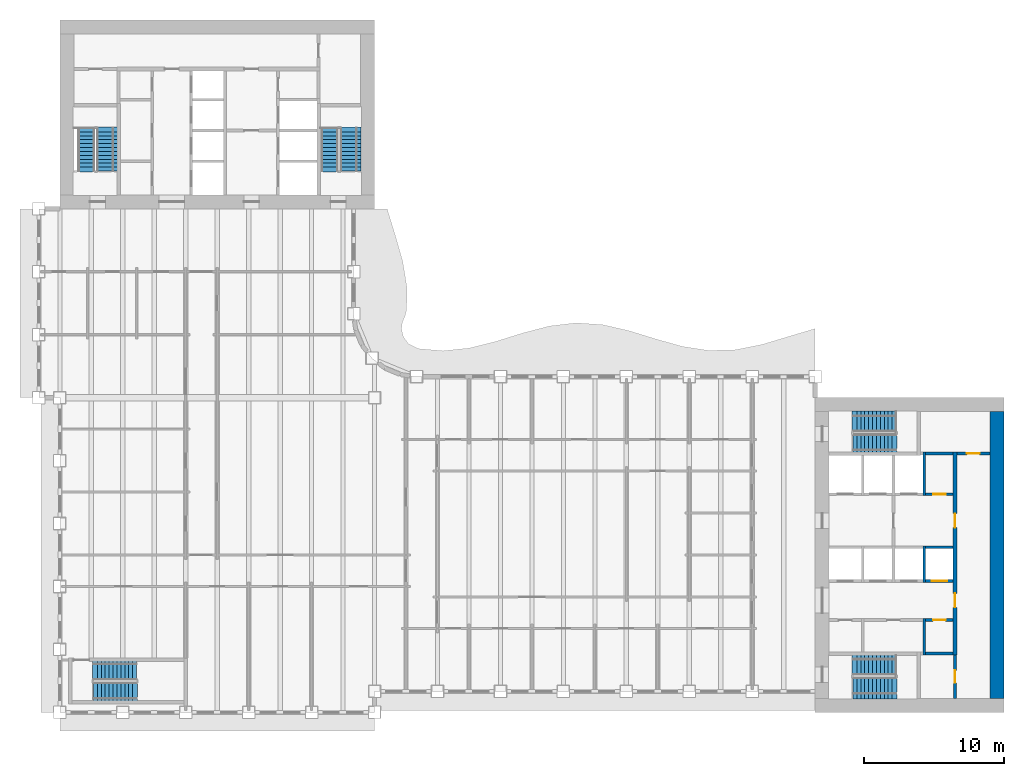
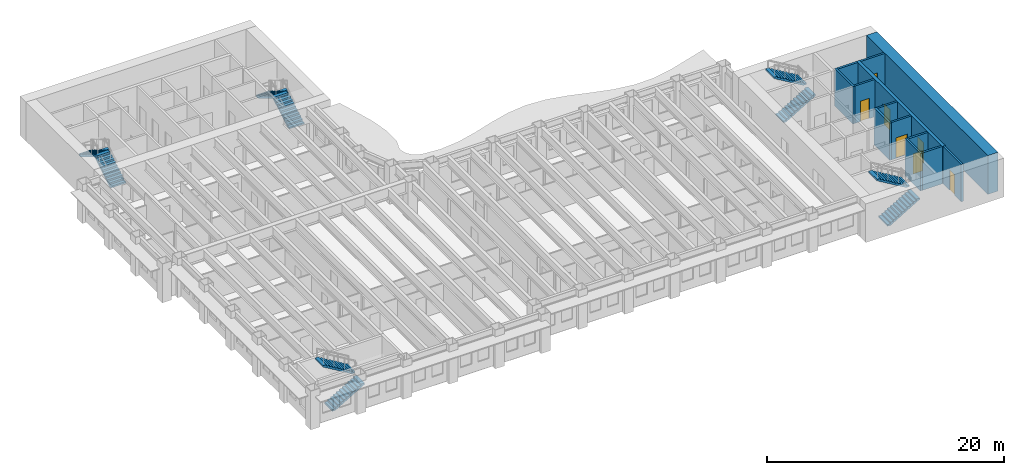
# One storey, part 10 of 16: 13 walls, 10 stair flights, 7 doors, 7 openings, 5 elements without a shape of their own.
"""IFC4 building model written with IfcOpenShell, lengths in metres."""

from ifc_helpers import new_model, si_unit, direction, frame, frame_2d, origin, place, context, subcontext, project, spatial, polyline, rectangle, outline, extrude, material, layer, layer_set, type_object, element, fill, aggregate, save


model = new_model("IFC4")

# Units and contexts
model_context = context("Model", 3, precision=1e-05, world=origin(), true_north=direction((0.0, 1.0)))
body_context = subcontext(model_context, "Body", "Model", "MODEL_VIEW")
ifc_project = project(units=[si_unit("LENGTHUNIT", "METRE"), si_unit("AREAUNIT", "SQUARE_METRE"), si_unit("VOLUMEUNIT", "CUBIC_METRE"), si_unit("PLANEANGLEUNIT", "RADIAN"), si_unit("MASSUNIT", "GRAM", prefix="KILO")], contexts=[model_context])

# Site, building, storey
site_placement = place(None, origin())
site = spatial("IfcSite", under=ifc_project, at=site_placement, CompositionType="ELEMENT")
building_placement = place(site_placement, origin())
building = spatial("IfcBuilding", under=site, at=building_placement, Name="Sennacour Bend Tower", CompositionType="ELEMENT")
storey_placement = place(building_placement, frame((0.0, 0.0, 163.0)))
storey = spatial("IfcBuildingStorey", under=building, at=storey_placement, Name="L37", CompositionType="ELEMENT", Elevation=163.0)

# Walls
ifc_material_1 = material(Name="Concrete C60/75", Category="concrete")
ifc_layer_1 = layer(ifc_material_1, 1.0, Name="Concrete C60/75", Category="concrete")
ifc_layer_set_1 = layer_set([ifc_layer_1], Name="Concrete C60/75")
wall_type_1 = type_object("IfcWallType", Name="Core wall 1000 C60/75", PredefinedType="SHEAR", material=ifc_layer_set_1)
wall_1_placement = place(storey_placement, frame((67.0, 1.0, -0.14990234375), z_axis=(0.0, 0.0, 1.0), x_axis=(0.0, 1.0, 0.0)))
element("IfcWall", 1, at=wall_1_placement, inside=storey, type_object=wall_type_1, Name="Core A wall L37 E", PredefinedType="SHEAR", context=body_context, shape_type="SweptSolid", body=[
    extrude(rectangle(XDim=20.5, YDim=1.0, at=frame_2d((10.25, 0.0))), origin(), (0.0, 0.0, 1.0), 4.0),
])
ifc_material_2 = material(Name="Fire-rated plasterboard partition on steel studs", Category="steel")
ifc_layer_2 = layer(ifc_material_2, 0.199951171875, Name="Fire-rated plasterboard partition on steel studs", Category="steel")
ifc_layer_set_2 = layer_set([ifc_layer_2], Name="Fire-rated plasterboard partition on steel studs")
wall_type_2 = type_object("IfcWallType", Name="Rated partition 200", PredefinedType="PARTITIONING", material=ifc_layer_set_2)
wall_2_placement = place(storey_placement, frame((61.800048828125, 4.10009765625, 0.0), z_axis=(0.0, 0.0, 1.0), x_axis=(0.0, 1.0, 0.0)))
element("IfcWall", 2, at=wall_2_placement, inside=storey, type_object=wall_type_2, Name="P-L37-W046", PredefinedType="PARTITIONING", context=body_context, shape_type="SweptSolid", body=[
    extrude(rectangle(XDim=2.599853515625, YDim=0.199951171875, at=frame_2d((1.2998046875, 0.0))), origin(), (0.0, 0.0, 1.0), 3.85009765625),
])

# Wall, opening, door
wall_3_placement = place(storey_placement, frame((64.0, 1.0, 0.0), z_axis=(0.0, 0.0, 1.0), x_axis=(0.0, 1.0, 0.0)))
wall_3 = element("IfcWall", 3, at=wall_3_placement, inside=storey, type_object=wall_type_2, Name="P-L37-W049", PredefinedType="PARTITIONING", context=body_context, shape_type="SweptSolid", body=[
    extrude(rectangle(XDim=3.10009765625, YDim=0.199951171875, at=frame_2d((1.550048828125, 0.0))), origin(), (0.0, 0.0, 1.0), 3.85009765625),
])
opening_1_placement = place(wall_3_placement, frame((1.10009765625, 0.0, 0.0)))
opening_1 = element("IfcOpeningElement", 4, at=opening_1_placement, cuts=wall_3, Name="Opening SV", PredefinedType="OPENING", context=body_context, shape_type="SweptSolid", body=[
    extrude(rectangle(XDim=0.89990234375, YDim=2.10009765625, at=frame_2d((0.449951171875, 1.050048828125))), frame((0.0, 0.10986328125, 0.0), z_axis=(0.0, -1.0, 0.0), x_axis=(1.0, 0.0, 0.0)), (0.0, 0.0, 1.0), 0.219970703125),
])
ifc_material_3 = material(Name="Painted steel", Category="steel")
door_type_1 = type_object("IfcDoorType", Name="DR-SERVICE-900", OperationType="NOTDEFINED", PredefinedType="DOOR", material=ifc_material_3)
door_1_placement = place(opening_1_placement, origin())
door_1 = element("IfcDoor", 5, at=door_1_placement, inside=storey, type_object=door_type_1, Name="Door", OperationType="SINGLE_SWING_LEFT", OverallHeight=2.10009765625, OverallWidth=0.89990234375, PredefinedType="DOOR", context=body_context, shape_type="SweptSolid", body=[
    extrude(rectangle(XDim=0.89990234375, YDim=2.10009765625, at=frame_2d((0.449951171875, 1.050048828125))), frame((0.0, 0.02490234375, 0.0), z_axis=(0.0, -1.0, 0.0), x_axis=(1.0, 0.0, 0.0)), (0.0, 0.0, 1.0), 0.050048828125),
])
fill(opening_1, door_1)

# Wall
wall_4_placement = place(storey_placement, frame((61.89990234375, 4.199951171875, 0.0), z_axis=(0.0, 0.0, 1.0), x_axis=(1.0, 0.0, 0.0)))
element("IfcWall", 6, at=wall_4_placement, inside=storey, type_object=wall_type_2, Name="P-L37-W057b", PredefinedType="PARTITIONING", context=body_context, shape_type="SweptSolid", body=[
    extrude(rectangle(XDim=1.9501953125, YDim=0.199951171875, at=frame_2d((0.97509765625, 0.0))), origin(), (0.0, 0.0, 1.0), 3.85009765625),
])

# Wall, opening, door
wall_5_placement = place(storey_placement, frame((61.89990234375, 6.60009765625, 0.0), z_axis=(0.0, 0.0, 1.0), x_axis=(1.0, 0.0, 0.0)))
wall_5 = element("IfcWall", 7, at=wall_5_placement, inside=storey, type_object=wall_type_2, Name="P-L37-W059c", PredefinedType="PARTITIONING", context=body_context, shape_type="SweptSolid", body=[
    extrude(rectangle(XDim=1.9501953125, YDim=0.199951171875, at=frame_2d((0.97509765625, 0.0))), origin(), (0.0, 0.0, 1.0), 3.85009765625),
])
opening_2_placement = place(wall_5_placement, frame((0.525146484375, 0.0, 0.0)))
opening_2 = element("IfcOpeningElement", 8, at=opening_2_placement, cuts=wall_5, Name="Opening SV", PredefinedType="OPENING", context=body_context, shape_type="SweptSolid", body=[
    extrude(rectangle(XDim=0.89990234375, YDim=2.10009765625, at=frame_2d((0.449951171875, 1.050048828125))), frame((0.0, 0.10986328125, 0.0), z_axis=(0.0, -1.0, 0.0), x_axis=(1.0, 0.0, 0.0)), (0.0, 0.0, 1.0), 0.219970703125),
])
door_2_placement = place(opening_2_placement, origin())
door_2 = element("IfcDoor", 9, at=door_2_placement, inside=storey, type_object=door_type_1, Name="Door", OperationType="SINGLE_SWING_LEFT", OverallHeight=2.10009765625, OverallWidth=0.89990234375, PredefinedType="DOOR", context=body_context, shape_type="SweptSolid", body=[
    extrude(rectangle(XDim=0.89990234375, YDim=2.10009765625, at=frame_2d((0.449951171875, 1.050048828125))), frame((0.0, 0.02490234375, 0.0), z_axis=(0.0, -1.0, 0.0), x_axis=(1.0, 0.0, 0.0)), (0.0, 0.0, 1.0), 0.050048828125),
])
fill(opening_2, door_2)

wall_6_placement = place(storey_placement, frame((61.89990234375, 15.60009765625, 0.0), z_axis=(0.0, 0.0, 1.0), x_axis=(1.0, 0.0, 0.0)))
wall_6 = element("IfcWall", 10, at=wall_6_placement, inside=storey, type_object=wall_type_2, Name="P-L37-W068", PredefinedType="PARTITIONING", context=body_context, shape_type="SweptSolid", body=[
    extrude(rectangle(XDim=1.9501953125, YDim=0.199951171875, at=frame_2d((0.97509765625, 0.0))), origin(), (0.0, 0.0, 1.0), 3.85009765625),
])
opening_3_placement = place(wall_6_placement, frame((0.525146484375, 0.0, 0.0)))
opening_3 = element("IfcOpeningElement", 11, at=opening_3_placement, cuts=wall_6, Name="Opening SV", PredefinedType="OPENING", context=body_context, shape_type="SweptSolid", body=[
    extrude(rectangle(XDim=0.89990234375, YDim=2.10009765625, at=frame_2d((0.449951171875, 1.050048828125))), frame((0.0, 0.10986328125, 0.0), z_axis=(0.0, -1.0, 0.0), x_axis=(1.0, 0.0, 0.0)), (0.0, 0.0, 1.0), 0.219970703125),
])
door_3_placement = place(opening_3_placement, origin())
door_3 = element("IfcDoor", 12, at=door_3_placement, inside=storey, type_object=door_type_1, Name="Door", OperationType="SINGLE_SWING_RIGHT", OverallHeight=2.10009765625, OverallWidth=0.89990234375, PredefinedType="DOOR", context=body_context, shape_type="SweptSolid", body=[
    extrude(rectangle(XDim=0.89990234375, YDim=2.10009765625, at=frame_2d((0.449951171875, 1.050048828125))), frame((0.0, 0.02490234375, 0.0), z_axis=(0.0, -1.0, 0.0), x_axis=(1.0, 0.0, 0.0)), (0.0, 0.0, 1.0), 0.050048828125),
])
fill(opening_3, door_3)

# Wall
wall_7_placement = place(storey_placement, frame((61.89990234375, 18.5, 0.0), z_axis=(0.0, 0.0, 1.0), x_axis=(1.0, 0.0, 0.0)))
element("IfcWall", 13, at=wall_7_placement, inside=storey, type_object=wall_type_2, Name="P-L37-W073a", PredefinedType="PARTITIONING", context=body_context, shape_type="SweptSolid", body=[
    extrude(rectangle(XDim=1.9501953125, YDim=0.199951171875, at=frame_2d((0.97509765625, 0.0))), origin(), (0.0, 0.0, 1.0), 3.85009765625),
])

# Wall, opening, door
wall_8_placement = place(storey_placement, frame((64.14990234375, 18.5, 0.0), z_axis=(0.0, 0.0, 1.0), x_axis=(1.0, 0.0, 0.0)))
wall_8 = element("IfcWall", 14, at=wall_8_placement, inside=storey, type_object=wall_type_2, Name="P-L37-W073b", PredefinedType="PARTITIONING", context=body_context, shape_type="SweptSolid", body=[
    extrude(rectangle(XDim=2.35009765625, YDim=0.199951171875, at=frame_2d((1.175048828125, 0.0))), origin(), (0.0, 0.0, 1.0), 3.85009765625),
])
opening_4_placement = place(wall_8_placement, frame((0.7001953125, 0.0, 0.0)))
opening_4 = element("IfcOpeningElement", 15, at=opening_4_placement, cuts=wall_8, Name="Opening SV", PredefinedType="OPENING", context=body_context, shape_type="SweptSolid", body=[
    extrude(rectangle(XDim=0.89990234375, YDim=2.10009765625, at=frame_2d((0.449951171875, 1.050048828125))), frame((0.0, 0.10986328125, 0.0), z_axis=(0.0, -1.0, 0.0), x_axis=(1.0, 0.0, 0.0)), (0.0, 0.0, 1.0), 0.219970703125),
])
door_4_placement = place(opening_4_placement, origin())
door_4 = element("IfcDoor", 16, at=door_4_placement, inside=storey, type_object=door_type_1, Name="Door", OperationType="SINGLE_SWING_LEFT", OverallHeight=2.10009765625, OverallWidth=0.89990234375, PredefinedType="DOOR", context=body_context, shape_type="SweptSolid", body=[
    extrude(rectangle(XDim=0.89990234375, YDim=2.10009765625, at=frame_2d((0.449951171875, 1.050048828125))), frame((0.0, 0.02490234375, 0.0), z_axis=(0.0, -1.0, 0.0), x_axis=(1.0, 0.0, 0.0)), (0.0, 0.0, 1.0), 0.050048828125),
])
fill(opening_4, door_4)

# Walls
ifc_material_4 = material(Name="Concrete C50/60", Category="concrete")
ifc_layer_3 = layer(ifc_material_4, 0.199951171875, Name="Concrete C50/60", Category="concrete")
ifc_layer_set_3 = layer_set([ifc_layer_3], Name="Concrete C50/60")
wall_type_3 = type_object("IfcWallType", Name="Shaft wall 200", PredefinedType="SOLIDWALL", material=ifc_layer_set_3)
wall_9_placement = place(storey_placement, frame((61.800048828125, 9.300048828125, 0.0), z_axis=(0.0, 0.0, 1.0), x_axis=(0.0, 1.0, 0.0)))
element("IfcWall", 17, at=wall_9_placement, inside=storey, type_object=wall_type_3, Name="P-L37-W047", PredefinedType="SOLIDWALL", context=body_context, shape_type="SweptSolid", body=[
    extrude(rectangle(XDim=2.599853515625, YDim=0.199951171875, at=frame_2d((1.2998046875, 0.0))), origin(), (0.0, 0.0, 1.0), 3.85009765625),
])
wall_10_placement = place(storey_placement, frame((61.800048828125, 15.5, 0.0), z_axis=(0.0, 0.0, 1.0), x_axis=(0.0, 1.0, 0.0)))
element("IfcWall", 18, at=wall_10_placement, inside=storey, type_object=wall_type_3, Name="P-L37-W048", PredefinedType="SOLIDWALL", context=body_context, shape_type="SweptSolid", body=[
    extrude(rectangle(XDim=3.10009765625, YDim=0.199951171875, at=frame_2d((1.550048828125, 0.0))), origin(), (0.0, 0.0, 1.0), 3.85009765625),
])

# Wall, opening, door
wall_11_placement = place(storey_placement, frame((61.89990234375, 9.39990234375, 0.0), z_axis=(0.0, 0.0, 1.0), x_axis=(1.0, 0.0, 0.0)))
wall_11 = element("IfcWall", 19, at=wall_11_placement, inside=storey, type_object=wall_type_3, Name="P-L37-W062d", PredefinedType="SOLIDWALL", context=body_context, shape_type="SweptSolid", body=[
    extrude(rectangle(XDim=1.9501953125, YDim=0.199951171875, at=frame_2d((0.97509765625, 0.0))), origin(), (0.0, 0.0, 1.0), 3.85009765625),
])
opening_5_placement = place(wall_11_placement, frame((0.425048828125, 0.0, 0.011962890625)))
opening_5 = element("IfcOpeningElement", 20, at=opening_5_placement, cuts=wall_11, Name="Opening LD", PredefinedType="OPENING", context=body_context, shape_type="SweptSolid", body=[
    extrude(rectangle(XDim=1.10009765625, YDim=2.10009765625, at=frame_2d((0.550048828125, 1.050048828125))), frame((0.0, 0.10986328125, 0.0), z_axis=(0.0, -1.0, 0.0), x_axis=(1.0, 0.0, 0.0)), (0.0, 0.0, 1.0), 0.219970703125),
])
ifc_material_5 = material(Name="Stainless steel", Category="steel")
door_type_2 = type_object("IfcDoorType", Name="DR-LANDING-1100", OperationType="NOTDEFINED", PredefinedType="DOOR", material=ifc_material_5)
door_5_placement = place(opening_5_placement, origin())
door_5 = element("IfcDoor", 21, at=door_5_placement, inside=storey, type_object=door_type_2, Name="Lift landing door HA4", OperationType="SLIDING_TO_RIGHT", OverallHeight=2.10009765625, OverallWidth=1.10009765625, PredefinedType="DOOR", context=body_context, shape_type="SweptSolid", body=[
    extrude(rectangle(XDim=1.10009765625, YDim=2.10009765625, at=frame_2d((0.550048828125, 1.050048828125))), frame((0.0, 0.02490234375, 0.0), z_axis=(0.0, -1.0, 0.0), x_axis=(1.0, 0.0, 0.0)), (0.0, 0.0, 1.0), 0.050048828125),
])
fill(opening_5, door_5)

# Wall
wall_12_placement = place(storey_placement, frame((61.89990234375, 11.800048828125, 0.0), z_axis=(0.0, 0.0, 1.0), x_axis=(1.0, 0.0, 0.0)))
element("IfcWall", 22, at=wall_12_placement, inside=storey, type_object=wall_type_3, Name="P-L37-W065d", PredefinedType="SOLIDWALL", context=body_context, shape_type="SweptSolid", body=[
    extrude(rectangle(XDim=1.9501953125, YDim=0.199951171875, at=frame_2d((0.97509765625, 0.0))), origin(), (0.0, 0.0, 1.0), 3.85009765625),
])

# Wall, openings, doors
ifc_layer_4 = layer(ifc_material_1, 0.300048828125, Name="Concrete C60/75", Category="concrete")
ifc_layer_set_4 = layer_set([ifc_layer_4], Name="Concrete C60/75")
wall_type_4 = type_object("IfcWallType", Name="Spine wall 300", PredefinedType="SHEAR", material=ifc_layer_set_4)
wall_13_placement = place(storey_placement, frame((64.0, 4.10009765625, 0.0), z_axis=(0.0, 0.0, 1.0), x_axis=(0.0, 1.0, 0.0)))
wall_13 = element("IfcWall", 23, at=wall_13_placement, inside=storey, type_object=wall_type_4, Name="P-L37-W050", PredefinedType="SHEAR", context=body_context, shape_type="SweptSolid", body=[
    extrude(rectangle(XDim=14.5, YDim=0.300048828125, at=frame_2d((7.25, 0.0))), origin(), (0.0, 0.0, 1.0), 3.85009765625),
])
opening_6_placement = place(wall_13_placement, frame((3.39990234375, 0.0, 0.0)))
opening_6 = element("IfcOpeningElement", 24, at=opening_6_placement, cuts=wall_13, Name="Opening CD2", PredefinedType="OPENING", context=body_context, shape_type="SweptSolid", body=[
    extrude(rectangle(XDim=1.0, YDim=2.10009765625, at=frame_2d((0.5, 1.050048828125))), frame((0.0, 0.16015625, 0.0), z_axis=(0.0, -1.0, 0.0), x_axis=(1.0, 0.0, 0.0)), (0.0, 0.0, 1.0), 0.320068359375),
])
opening_7_placement = place(wall_13_placement, frame((9.099853515625, 0.0, 0.0)))
opening_7 = element("IfcOpeningElement", 25, at=opening_7_placement, cuts=wall_13, Name="Opening CD2", PredefinedType="OPENING", context=body_context, shape_type="SweptSolid", body=[
    extrude(rectangle(XDim=1.0, YDim=2.10009765625, at=frame_2d((0.5, 1.050048828125))), frame((0.0, 0.16015625, 0.0), z_axis=(0.0, -1.0, 0.0), x_axis=(1.0, 0.0, 0.0)), (0.0, 0.0, 1.0), 0.320068359375),
])
door_type_3 = type_object("IfcDoorType", Name="DR-LOBBY-1000", OperationType="NOTDEFINED", PredefinedType="DOOR", material=ifc_material_3)
door_6_placement = place(opening_6_placement, origin())
door_6 = element("IfcDoor", 26, at=door_6_placement, inside=storey, type_object=door_type_3, Name="Door", OperationType="SINGLE_SWING_LEFT", OverallHeight=2.10009765625, OverallWidth=1.0, PredefinedType="DOOR", context=body_context, shape_type="SweptSolid", body=[
    extrude(rectangle(XDim=1.0, YDim=2.10009765625, at=frame_2d((0.5, 1.050048828125))), frame((0.0, 0.02490234375, 0.0), z_axis=(0.0, -1.0, 0.0), x_axis=(1.0, 0.0, 0.0)), (0.0, 0.0, 1.0), 0.050048828125),
])
fill(opening_6, door_6)
door_7_placement = place(opening_7_placement, origin())
door_7 = element("IfcDoor", 27, at=door_7_placement, inside=storey, type_object=door_type_3, Name="Door", OperationType="SINGLE_SWING_RIGHT", OverallHeight=2.10009765625, OverallWidth=1.0, PredefinedType="DOOR", context=body_context, shape_type="SweptSolid", body=[
    extrude(rectangle(XDim=1.0, YDim=2.10009765625, at=frame_2d((0.5, 1.050048828125))), frame((0.0, 0.02490234375, 0.0), z_axis=(0.0, -1.0, 0.0), x_axis=(1.0, 0.0, 0.0)), (0.0, 0.0, 1.0), 0.050048828125),
])
fill(opening_7, door_7)

# Stair, stair flights
ifc_material_6 = material(Name="Concrete C40/50", Category="concrete")
stair_type = type_object("IfcStairType", Name="ST-DOGLEG", PredefinedType="HALF_TURN_STAIR", material=ifc_material_6)
stair_1_placement = place(storey_placement, origin())
stair_1 = element("IfcStair", 28, at=stair_1_placement, inside=storey, type_object=stair_type, Name="L37 Exit stair A1", PredefinedType="HALF_TURN_STAIR")
stair_flight_type = type_object("IfcStairFlightType", Name="SFL-RC", PredefinedType="STRAIGHT", material=ifc_material_6)
stair_flight_1_placement = place(storey_placement, frame((56.699951171875, 1.735107421875, 0.0), z_axis=(0.0, 0.0, 1.0), x_axis=(1.0, 0.0, 0.0)))
stair_flight_1 = element("IfcStairFlight", 29, at=stair_flight_1_placement, type_object=stair_flight_type, Name="SA1 flight 1", NumberOfRisers=12, NumberOfTreads=11, PredefinedType="STRAIGHT", RiserHeight=0.166666667, TreadLength=0.28, context=body_context, shape_type="SweptSolid", body=[
    extrude(outline(polyline([(0.0, 0.0), (0.0, 0.166748046875), (0.280029296875, 0.166748046875), (0.280029296875, 0.333251953125), (0.56005859375, 0.333251953125), (0.56005859375, 0.5), (0.840087890625, 0.5), (0.840087890625, 0.666748046875), (1.1201171875, 0.666748046875), (1.1201171875, 0.833251953125), (1.39990234375, 0.833251953125), (1.39990234375, 1.0), (1.679931640625, 1.0), (1.679931640625, 1.166748046875), (1.9599609375, 1.166748046875), (1.9599609375, 1.333251953125), (2.239990234375, 1.333251953125), (2.239990234375, 1.5), (2.52001953125, 1.5), (2.52001953125, 1.666748046875), (2.800048828125, 1.666748046875), (2.800048828125, 1.833251953125), (3.080078125, 1.833251953125), (3.139892578125, 1.833251953125), (3.139892578125, 1.658935546875), (3.080078125, 1.658935546875), (0.29296875, 0.0), (0.0, 0.0)])), frame((0.0, 0.76513671875, 0.0), z_axis=(0.0, -1.0, 0.0), x_axis=(1.0, 0.0, 0.0)), (0.0, 0.0, 1.0), 1.530029296875),
])
stair_flight_2_placement = place(storey_placement, frame((59.780029296875, 3.37744140625, 2.0), z_axis=(0.0, 0.0, 1.0), x_axis=(-1.0, 0.0, 0.0)))
stair_flight_2 = element("IfcStairFlight", 30, at=stair_flight_2_placement, type_object=stair_flight_type, Name="SA1 flight 2", NumberOfRisers=12, NumberOfTreads=11, PredefinedType="STRAIGHT", RiserHeight=0.166666667, TreadLength=0.28, context=body_context, shape_type="SweptSolid", body=[
    extrude(outline(polyline([(0.0, 0.0), (0.0, 0.166748046875), (0.280029296875, 0.166748046875), (0.280029296875, 0.333251953125), (0.56005859375, 0.333251953125), (0.56005859375, 0.5), (0.840087890625, 0.5), (0.840087890625, 0.666748046875), (1.1201171875, 0.666748046875), (1.1201171875, 0.833251953125), (1.39990234375, 0.833251953125), (1.39990234375, 1.0), (1.679931640625, 1.0), (1.679931640625, 1.166748046875), (1.9599609375, 1.166748046875), (1.9599609375, 1.333251953125), (2.239990234375, 1.333251953125), (2.239990234375, 1.5), (2.52001953125, 1.5), (2.52001953125, 1.666748046875), (2.800048828125, 1.666748046875), (2.800048828125, 1.833251953125), (3.080078125, 1.833251953125), (3.139892578125, 1.833251953125), (3.139892578125, 1.658935546875), (3.080078125, 1.658935546875), (0.29296875, 0.0), (0.0, 0.0)])), frame((0.0, 0.7275390625, 0.0), z_axis=(0.0, -1.0, 0.0), x_axis=(1.0, 0.0, 0.0)), (0.0, 0.0, 1.0), 1.455078125),
])
aggregate(stair_1, [stair_flight_1, stair_flight_2])

stair_2_placement = place(storey_placement, origin())
stair_2 = element("IfcStair", 31, at=stair_2_placement, inside=storey, type_object=stair_type, Name="L37 Exit stair A2", PredefinedType="HALF_TURN_STAIR")
stair_flight_3_placement = place(storey_placement, frame((56.699951171875, 19.24755859375, 0.0), z_axis=(0.0, 0.0, 1.0), x_axis=(1.0, 0.0, 0.0)))
stair_flight_3 = element("IfcStairFlight", 32, at=stair_flight_3_placement, type_object=stair_flight_type, Name="SA2 flight 1", NumberOfRisers=12, NumberOfTreads=11, PredefinedType="STRAIGHT", RiserHeight=0.166666667, TreadLength=0.28, context=body_context, shape_type="SweptSolid", body=[
    extrude(outline(polyline([(0.0, 0.0), (0.0, 0.166748046875), (0.280029296875, 0.166748046875), (0.280029296875, 0.333251953125), (0.56005859375, 0.333251953125), (0.56005859375, 0.5), (0.840087890625, 0.5), (0.840087890625, 0.666748046875), (1.1201171875, 0.666748046875), (1.1201171875, 0.833251953125), (1.39990234375, 0.833251953125), (1.39990234375, 1.0), (1.679931640625, 1.0), (1.679931640625, 1.166748046875), (1.9599609375, 1.166748046875), (1.9599609375, 1.333251953125), (2.239990234375, 1.333251953125), (2.239990234375, 1.5), (2.52001953125, 1.5), (2.52001953125, 1.666748046875), (2.800048828125, 1.666748046875), (2.800048828125, 1.833251953125), (3.080078125, 1.833251953125), (3.139892578125, 1.833251953125), (3.139892578125, 1.658935546875), (3.080078125, 1.658935546875), (0.29296875, 0.0), (0.0, 0.0)])), frame((0.0, 0.65234375, 0.0), z_axis=(0.0, -1.0, 0.0), x_axis=(1.0, 0.0, 0.0)), (0.0, 0.0, 1.0), 1.304931640625),
])
stair_flight_4_placement = place(storey_placement, frame((59.780029296875, 20.7900390625, 2.0), z_axis=(0.0, 0.0, 1.0), x_axis=(-1.0, 0.0, 0.0)))
stair_flight_4 = element("IfcStairFlight", 33, at=stair_flight_4_placement, type_object=stair_flight_type, Name="SA2 flight 2", NumberOfRisers=12, NumberOfTreads=11, PredefinedType="STRAIGHT", RiserHeight=0.166666667, TreadLength=0.28, context=body_context, shape_type="SweptSolid", body=[
    extrude(outline(polyline([(0.0, 0.0), (0.0, 0.166748046875), (0.280029296875, 0.166748046875), (0.280029296875, 0.333251953125), (0.56005859375, 0.333251953125), (0.56005859375, 0.5), (0.840087890625, 0.5), (0.840087890625, 0.666748046875), (1.1201171875, 0.666748046875), (1.1201171875, 0.833251953125), (1.39990234375, 0.833251953125), (1.39990234375, 1.0), (1.679931640625, 1.0), (1.679931640625, 1.166748046875), (1.9599609375, 1.166748046875), (1.9599609375, 1.333251953125), (2.239990234375, 1.333251953125), (2.239990234375, 1.5), (2.52001953125, 1.5), (2.52001953125, 1.666748046875), (2.800048828125, 1.666748046875), (2.800048828125, 1.833251953125), (3.080078125, 1.833251953125), (3.139892578125, 1.833251953125), (3.139892578125, 1.658935546875), (3.080078125, 1.658935546875), (0.29296875, 0.0), (0.0, 0.0)])), frame((0.0, 0.739990234375, 0.0), z_axis=(0.0, -1.0, 0.0), x_axis=(1.0, 0.0, 0.0)), (0.0, 0.0, 1.0), 1.47998046875),
])
aggregate(stair_2, [stair_flight_3, stair_flight_4])

stair_3_placement = place(storey_placement, origin())
stair_3 = element("IfcStair", 34, at=stair_3_placement, inside=storey, type_object=stair_type, Name="L37 Exit stair B1", PredefinedType="HALF_TURN_STAIR")
stair_flight_5_placement = place(storey_placement, frame((3.37744140625, 38.699951171875, 0.0), z_axis=(0.0, 0.0, 1.0), x_axis=(0.0, 1.0, 0.0)))
stair_flight_5 = element("IfcStairFlight", 35, at=stair_flight_5_placement, type_object=stair_flight_type, Name="SB1 flight 1", NumberOfRisers=12, NumberOfTreads=11, PredefinedType="STRAIGHT", RiserHeight=0.166666667, TreadLength=0.28, context=body_context, shape_type="SweptSolid", body=[
    extrude(outline(polyline([(0.0, 0.0), (0.0, 0.166748046875), (0.280029296875, 0.166748046875), (0.280029296875, 0.333251953125), (0.56005859375, 0.333251953125), (0.56005859375, 0.5), (0.840087890625, 0.5), (0.840087890625, 0.666748046875), (1.1201171875, 0.666748046875), (1.1201171875, 0.833251953125), (1.39990234375, 0.833251953125), (1.39990234375, 1.0), (1.679931640625, 1.0), (1.679931640625, 1.166748046875), (1.9599609375, 1.166748046875), (1.9599609375, 1.333251953125), (2.239990234375, 1.333251953125), (2.239990234375, 1.5), (2.52001953125, 1.5), (2.52001953125, 1.666748046875), (2.800048828125, 1.666748046875), (2.800048828125, 1.833251953125), (3.080078125, 1.833251953125), (3.139892578125, 1.833251953125), (3.139892578125, 1.658935546875), (3.080078125, 1.658935546875), (0.29296875, 0.0), (0.0, 0.0)])), frame((0.0, 0.7275390625, 0.0), z_axis=(0.0, -1.0, 0.0), x_axis=(1.0, 0.0, 0.0)), (0.0, 0.0, 1.0), 1.455078125),
])
stair_flight_6_placement = place(storey_placement, frame((1.89990234375, 41.780029296875, 2.0), z_axis=(0.0, 0.0, 1.0), x_axis=(0.0, -1.0, 0.0)))
stair_flight_6 = element("IfcStairFlight", 36, at=stair_flight_6_placement, type_object=stair_flight_type, Name="SB1 flight 2", NumberOfRisers=12, NumberOfTreads=11, PredefinedType="STRAIGHT", RiserHeight=0.166666667, TreadLength=0.28, context=body_context, shape_type="SweptSolid", body=[
    extrude(outline(polyline([(0.0, 0.0), (0.0, 0.166748046875), (0.280029296875, 0.166748046875), (0.280029296875, 0.333251953125), (0.56005859375, 0.333251953125), (0.56005859375, 0.5), (0.840087890625, 0.5), (0.840087890625, 0.666748046875), (1.1201171875, 0.666748046875), (1.1201171875, 0.833251953125), (1.39990234375, 0.833251953125), (1.39990234375, 1.0), (1.679931640625, 1.0), (1.679931640625, 1.166748046875), (1.9599609375, 1.166748046875), (1.9599609375, 1.333251953125), (2.239990234375, 1.333251953125), (2.239990234375, 1.5), (2.52001953125, 1.5), (2.52001953125, 1.666748046875), (2.800048828125, 1.666748046875), (2.800048828125, 1.833251953125), (3.080078125, 1.833251953125), (3.139892578125, 1.833251953125), (3.139892578125, 1.658935546875), (3.080078125, 1.658935546875), (0.29296875, 0.0), (0.0, 0.0)])), frame((0.0, 0.60009765625, 0.0), z_axis=(0.0, -1.0, 0.0), x_axis=(1.0, 0.0, 0.0)), (0.0, 0.0, 1.0), 1.199951171875),
])
aggregate(stair_3, [stair_flight_5, stair_flight_6])

stair_4_placement = place(storey_placement, origin())
stair_4 = element("IfcStair", 37, at=stair_4_placement, inside=storey, type_object=stair_type, Name="L37 Exit stair B2", PredefinedType="HALF_TURN_STAIR")
stair_flight_7_placement = place(storey_placement, frame((20.7900390625, 38.699951171875, 0.0), z_axis=(0.0, 0.0, 1.0), x_axis=(0.0, 1.0, 0.0)))
stair_flight_7 = element("IfcStairFlight", 38, at=stair_flight_7_placement, type_object=stair_flight_type, Name="SB2 flight 1", NumberOfRisers=12, NumberOfTreads=11, PredefinedType="STRAIGHT", RiserHeight=0.166666667, TreadLength=0.28, context=body_context, shape_type="SweptSolid", body=[
    extrude(outline(polyline([(0.0, 0.0), (0.0, 0.166748046875), (0.280029296875, 0.166748046875), (0.280029296875, 0.333251953125), (0.56005859375, 0.333251953125), (0.56005859375, 0.5), (0.840087890625, 0.5), (0.840087890625, 0.666748046875), (1.1201171875, 0.666748046875), (1.1201171875, 0.833251953125), (1.39990234375, 0.833251953125), (1.39990234375, 1.0), (1.679931640625, 1.0), (1.679931640625, 1.166748046875), (1.9599609375, 1.166748046875), (1.9599609375, 1.333251953125), (2.239990234375, 1.333251953125), (2.239990234375, 1.5), (2.52001953125, 1.5), (2.52001953125, 1.666748046875), (2.800048828125, 1.666748046875), (2.800048828125, 1.833251953125), (3.080078125, 1.833251953125), (3.139892578125, 1.833251953125), (3.139892578125, 1.658935546875), (3.080078125, 1.658935546875), (0.29296875, 0.0), (0.0, 0.0)])), frame((0.0, 0.739990234375, 0.0), z_axis=(0.0, -1.0, 0.0), x_axis=(1.0, 0.0, 0.0)), (0.0, 0.0, 1.0), 1.47998046875),
])
stair_flight_8_placement = place(storey_placement, frame((19.24755859375, 41.780029296875, 2.0), z_axis=(0.0, 0.0, 1.0), x_axis=(0.0, -1.0, 0.0)))
stair_flight_8 = element("IfcStairFlight", 39, at=stair_flight_8_placement, type_object=stair_flight_type, Name="SB2 flight 2", NumberOfRisers=12, NumberOfTreads=11, PredefinedType="STRAIGHT", RiserHeight=0.166666667, TreadLength=0.28, context=body_context, shape_type="SweptSolid", body=[
    extrude(outline(polyline([(0.0, 0.0), (0.0, 0.166748046875), (0.280029296875, 0.166748046875), (0.280029296875, 0.333251953125), (0.56005859375, 0.333251953125), (0.56005859375, 0.5), (0.840087890625, 0.5), (0.840087890625, 0.666748046875), (1.1201171875, 0.666748046875), (1.1201171875, 0.833251953125), (1.39990234375, 0.833251953125), (1.39990234375, 1.0), (1.679931640625, 1.0), (1.679931640625, 1.166748046875), (1.9599609375, 1.166748046875), (1.9599609375, 1.333251953125), (2.239990234375, 1.333251953125), (2.239990234375, 1.5), (2.52001953125, 1.5), (2.52001953125, 1.666748046875), (2.800048828125, 1.666748046875), (2.800048828125, 1.833251953125), (3.080078125, 1.833251953125), (3.139892578125, 1.833251953125), (3.139892578125, 1.658935546875), (3.080078125, 1.658935546875), (0.29296875, 0.0), (0.0, 0.0)])), frame((0.0, 0.65234375, 0.0), z_axis=(0.0, -1.0, 0.0), x_axis=(1.0, 0.0, 0.0)), (0.0, 0.0, 1.0), 1.304931640625),
])
aggregate(stair_4, [stair_flight_7, stair_flight_8])

stair_5_placement = place(storey_placement, origin())
stair_5 = element("IfcStair", 40, at=stair_5_placement, inside=storey, type_object=stair_type, Name="L37 Exit stair K1", PredefinedType="HALF_TURN_STAIR")
stair_flight_9_placement = place(storey_placement, frame((2.39990234375, 1.485107421875, 0.0), z_axis=(0.0, 0.0, 1.0), x_axis=(1.0, 0.0, 0.0)))
stair_flight_9 = element("IfcStairFlight", 41, at=stair_flight_9_placement, type_object=stair_flight_type, Name="SK1 flight 1", NumberOfRisers=12, NumberOfTreads=11, PredefinedType="STRAIGHT", RiserHeight=0.166666667, TreadLength=0.28, context=body_context, shape_type="SweptSolid", body=[
    extrude(outline(polyline([(0.0, 0.0), (0.0, 0.166748046875), (0.280029296875, 0.166748046875), (0.280029296875, 0.333251953125), (0.56005859375, 0.333251953125), (0.56005859375, 0.5), (0.840087890625, 0.5), (0.840087890625, 0.666748046875), (1.1201171875, 0.666748046875), (1.1201171875, 0.833251953125), (1.39990234375, 0.833251953125), (1.39990234375, 1.0), (1.679931640625, 1.0), (1.679931640625, 1.166748046875), (1.9599609375, 1.166748046875), (1.9599609375, 1.333251953125), (2.239990234375, 1.333251953125), (2.239990234375, 1.5), (2.52001953125, 1.5), (2.52001953125, 1.666748046875), (2.800048828125, 1.666748046875), (2.800048828125, 1.833251953125), (3.080078125, 1.833251953125), (3.139892578125, 1.833251953125), (3.139892578125, 1.658935546875), (3.080078125, 1.658935546875), (0.29296875, 0.0), (0.0, 0.0)])), frame((0.0, 0.6650390625, 0.0), z_axis=(0.0, -1.0, 0.0), x_axis=(1.0, 0.0, 0.0)), (0.0, 0.0, 1.0), 1.330078125),
])
stair_flight_10_placement = place(storey_placement, frame((5.47998046875, 2.9775390625, 2.0), z_axis=(0.0, 0.0, 1.0), x_axis=(-1.0, 0.0, 0.0)))
stair_flight_10 = element("IfcStairFlight", 42, at=stair_flight_10_placement, type_object=stair_flight_type, Name="SK1 flight 2", NumberOfRisers=12, NumberOfTreads=11, PredefinedType="STRAIGHT", RiserHeight=0.166666667, TreadLength=0.28, context=body_context, shape_type="SweptSolid", body=[
    extrude(outline(polyline([(0.0, 0.0), (0.0, 0.166748046875), (0.280029296875, 0.166748046875), (0.280029296875, 0.333251953125), (0.56005859375, 0.333251953125), (0.56005859375, 0.5), (0.840087890625, 0.5), (0.840087890625, 0.666748046875), (1.1201171875, 0.666748046875), (1.1201171875, 0.833251953125), (1.39990234375, 0.833251953125), (1.39990234375, 1.0), (1.679931640625, 1.0), (1.679931640625, 1.166748046875), (1.9599609375, 1.166748046875), (1.9599609375, 1.333251953125), (2.239990234375, 1.333251953125), (2.239990234375, 1.5), (2.52001953125, 1.5), (2.52001953125, 1.666748046875), (2.800048828125, 1.666748046875), (2.800048828125, 1.833251953125), (3.080078125, 1.833251953125), (3.139892578125, 1.833251953125), (3.139892578125, 1.658935546875), (3.080078125, 1.658935546875), (0.29296875, 0.0), (0.0, 0.0)])), frame((0.0, 0.677490234375, 0.0), z_axis=(0.0, -1.0, 0.0), x_axis=(1.0, 0.0, 0.0)), (0.0, 0.0, 1.0), 1.35498046875),
])
aggregate(stair_5, [stair_flight_9, stair_flight_10])

save(model, "model.ifc")
